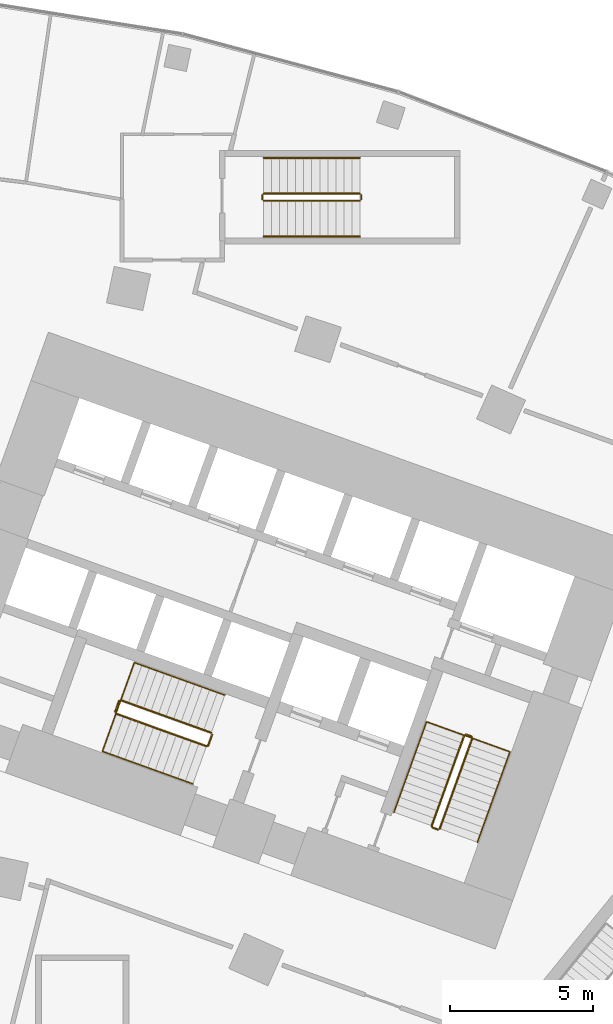
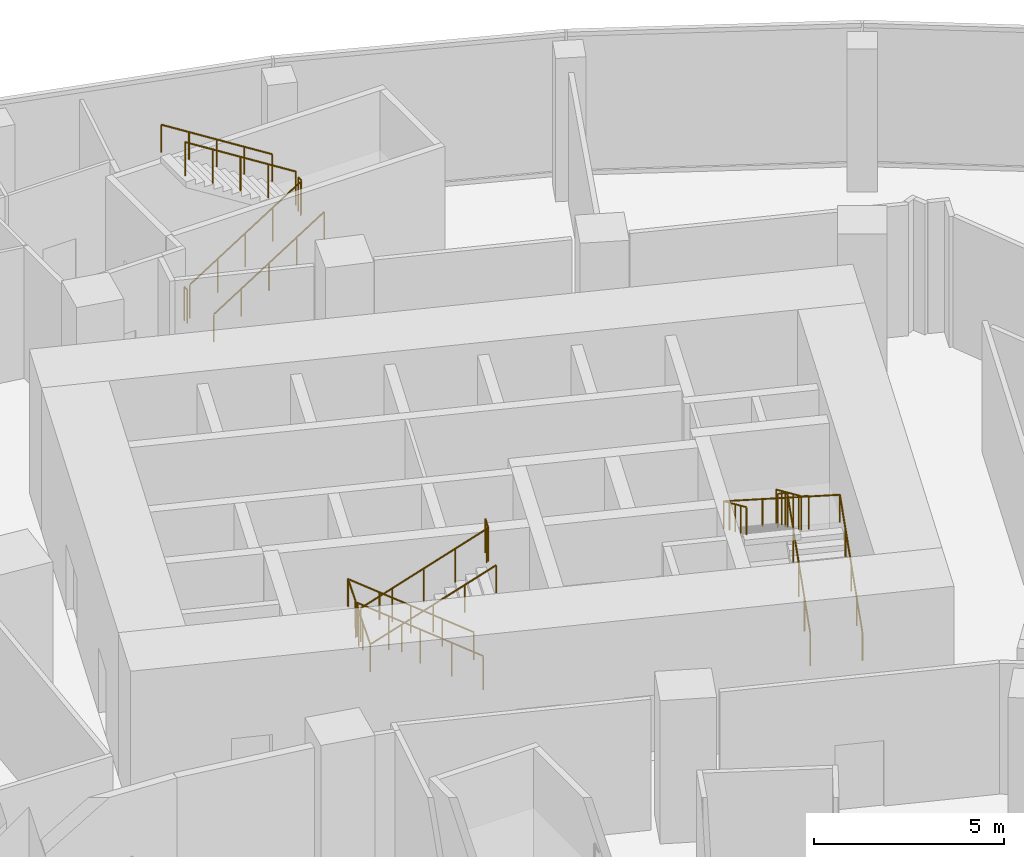
# One storey, part 38 of 39: 12 railings.
"""IFC4 building model written with IfcOpenShell, lengths in metres."""

from ifc_helpers import new_model, si_unit, direction, frame, origin, origin_2d, place, context, subcontext, project, spatial, circle, extrude, material, type_object, element, save


model = new_model("IFC4")

# Units and contexts
model_context = context("Model", 3, precision=1e-05, world=origin(), true_north=direction((0.0, 1.0)))
body_context = subcontext(model_context, "Body", "Model", "MODEL_VIEW")
ifc_project = project(units=[si_unit("LENGTHUNIT", "METRE"), si_unit("AREAUNIT", "SQUARE_METRE"), si_unit("VOLUMEUNIT", "CUBIC_METRE"), si_unit("PLANEANGLEUNIT", "RADIAN"), si_unit("MASSUNIT", "GRAM", prefix="KILO")], contexts=[model_context])

# Site, building, storey
site_placement = place(None, origin())
site = spatial("IfcSite", under=ifc_project, at=site_placement, CompositionType="ELEMENT")
building_placement = place(site_placement, origin())
building = spatial("IfcBuilding", under=site, at=building_placement, Name="Stone Belt Terrace Tower", CompositionType="ELEMENT")
storey_placement = place(building_placement, frame((0.0, 0.0, 16.199951171875)))
storey = spatial("IfcBuildingStorey", under=building, at=storey_placement, Name="L03", CompositionType="ELEMENT", Elevation=16.199951171875)

# Railings
ifc_material_1 = material(Name="Steel balustrade", Category="steel")
railing_type_1 = type_object("IfcRailingType", Name="Podium stair guard", PredefinedType="GUARDRAIL", material=ifc_material_1)
railing_1_placement = place(storey_placement, frame((18.340087890625, 67.125, 0.177001953125)))
element("IfcRailing", 1, at=railing_1_placement, inside=storey, type_object=railing_type_1, Name="L03 PS8 stair guard 1", PredefinedType="GUARDRAIL", context=body_context, shape_type="SweptSolid", body=[
    extrude(circle(Radius=0.02392578125, at=origin_2d()), frame((0.0, 0.0, 1.076171875), z_axis=(0.845372108799, 0.0, 0.534177870812), x_axis=(0.0, 1.0, 0.0)), (0.0, 0.0, 1.0), 3.974365234375),
    extrude(circle(Radius=0.02099609375, at=origin_2d()), origin(), (0.0, 0.0, 1.0), 1.052001953125),
    extrude(circle(Radius=0.02099609375, at=origin_2d()), frame((0.83984375, 0.0, 0.53076171875)), (0.0, 0.0, 1.0), 1.052001953125),
    extrude(circle(Radius=0.02099609375, at=origin_2d()), frame((1.679931640625, 0.0, 1.0615234375)), (0.0, 0.0, 1.0), 1.052001953125),
    extrude(circle(Radius=0.02099609375, at=origin_2d()), frame((2.52001953125, 0.0, 1.59228515625)), (0.0, 0.0, 1.0), 1.052001953125),
    extrude(circle(Radius=0.02099609375, at=origin_2d()), frame((3.35986328125, 0.0, 2.123046875)), (0.0, 0.0, 1.0), 1.052001953125),
])
railing_2_placement = place(storey_placement, frame((21.75, 67.175048828125, 2.300048828125)))
element("IfcRailing", 2, at=railing_2_placement, inside=storey, type_object=railing_type_1, Name="L03 PS8 stair guard 2", PredefinedType="GUARDRAIL", context=body_context, shape_type="SweptSolid", body=[
    extrude(circle(Radius=0.02392578125, at=origin_2d()), frame((0.0, 0.0, 1.076171875), z_axis=(0.0, 1.0, 0.0), x_axis=(-1.0, 0.0, 0.0)), (0.0, 0.0, 1.0), 0.14990234375),
    extrude(circle(Radius=0.02099609375, at=origin_2d()), origin(), (0.0, 0.0, 1.0), 1.052001953125),
    extrude(circle(Radius=0.02099609375, at=origin_2d()), frame((0.0, 0.14990234375, 0.0)), (0.0, 0.0, 1.0), 1.052001953125),
])
railing_3_placement = place(storey_placement, frame((21.699951171875, 67.375, 2.47705078125)))
element("IfcRailing", 3, at=railing_3_placement, inside=storey, type_object=railing_type_1, Name="L03 PS8 stair guard 3", PredefinedType="GUARDRAIL", context=body_context, shape_type="SweptSolid", body=[
    extrude(circle(Radius=0.02392578125, at=origin_2d()), frame((0.0, 0.0, 1.076171875), z_axis=(-0.845372108799, 0.0, 0.534177870812), x_axis=(0.0, -1.0, 0.0)), (0.0, 0.0, 1.0), 3.974365234375),
    extrude(circle(Radius=0.02099609375, at=origin_2d()), origin(), (0.0, 0.0, 1.0), 1.052001953125),
    extrude(circle(Radius=0.02099609375, at=origin_2d()), frame((-0.83984375, 0.0, 0.53076171875)), (0.0, 0.0, 1.0), 1.052001953125),
    extrude(circle(Radius=0.02099609375, at=origin_2d()), frame((-1.679931640625, 0.0, 1.0615234375)), (0.0, 0.0, 1.0), 1.052001953125),
    extrude(circle(Radius=0.02099609375, at=origin_2d()), frame((-2.52001953125, 0.0, 1.59228515625)), (0.0, 0.0, 1.0), 1.052001953125),
    extrude(circle(Radius=0.02099609375, at=origin_2d()), frame((-3.35986328125, 0.0, 2.123046875)), (0.0, 0.0, 1.0), 1.052001953125),
])
railing_4_placement = place(storey_placement, frame((18.2900390625, 67.175048828125, 0.0)))
element("IfcRailing", 4, at=railing_4_placement, inside=storey, type_object=railing_type_1, Name="L03 PS8 stair guard 4", PredefinedType="GUARDRAIL", context=body_context, shape_type="SweptSolid", body=[
    extrude(circle(Radius=0.02392578125, at=origin_2d()), frame((0.0, 0.0, 1.076171875), z_axis=(0.0, 1.0, 0.0), x_axis=(-1.0, 0.0, 0.0)), (0.0, 0.0, 1.0), 0.14990234375),
    extrude(circle(Radius=0.02099609375, at=origin_2d()), origin(), (0.0, 0.0, 1.0), 1.052001953125),
    extrude(circle(Radius=0.02099609375, at=origin_2d()), frame((0.0, 0.14990234375, 0.0)), (0.0, 0.0, 1.0), 1.052001953125),
])
ifc_material_2 = material(Name="Stainless steel handrail", Category="steel")
railing_type_2 = type_object("IfcRailingType", Name="Podium stair handrail", PredefinedType="HANDRAIL", material=ifc_material_2)
railing_5_placement = place(storey_placement, frame((18.340087890625, 65.875, 0.177001953125)))
element("IfcRailing", 5, at=railing_5_placement, inside=storey, type_object=railing_type_2, Name="L03 PS8 stair handrail 1", PredefinedType="HANDRAIL", context=body_context, shape_type="SweptSolid", body=[
    extrude(circle(Radius=0.02392578125, at=origin_2d()), frame((0.0, 0.0, 0.8759765625), z_axis=(0.845372108799, 0.0, 0.534177870812), x_axis=(0.0, 1.0, 0.0)), (0.0, 0.0, 1.0), 3.974365234375),
    extrude(circle(Radius=0.02099609375, at=origin_2d()), origin(), (0.0, 0.0, 1.0), 0.851806640625),
    extrude(circle(Radius=0.02099609375, at=origin_2d()), frame((0.83984375, 0.0, 0.53076171875)), (0.0, 0.0, 1.0), 0.851806640625),
    extrude(circle(Radius=0.02099609375, at=origin_2d()), frame((1.679931640625, 0.0, 1.0615234375)), (0.0, 0.0, 1.0), 0.851806640625),
    extrude(circle(Radius=0.02099609375, at=origin_2d()), frame((2.52001953125, 0.0, 1.59228515625)), (0.0, 0.0, 1.0), 0.851806640625),
    extrude(circle(Radius=0.02099609375, at=origin_2d()), frame((3.35986328125, 0.0, 2.123046875)), (0.0, 0.0, 1.0), 0.851806640625),
])
railing_6_placement = place(storey_placement, frame((21.699951171875, 68.625, 2.47705078125)))
element("IfcRailing", 6, at=railing_6_placement, inside=storey, type_object=railing_type_2, Name="L03 PS8 stair handrail 2", PredefinedType="HANDRAIL", context=body_context, shape_type="SweptSolid", body=[
    extrude(circle(Radius=0.02392578125, at=origin_2d()), frame((0.0, 0.0, 0.8759765625), z_axis=(-0.845372108799, 0.0, 0.534177870812), x_axis=(0.0, -1.0, 0.0)), (0.0, 0.0, 1.0), 3.974365234375),
    extrude(circle(Radius=0.02099609375, at=origin_2d()), origin(), (0.0, 0.0, 1.0), 0.851806640625),
    extrude(circle(Radius=0.02099609375, at=origin_2d()), frame((-0.83984375, 0.0, 0.53076171875)), (0.0, 0.0, 1.0), 0.851806640625),
    extrude(circle(Radius=0.02099609375, at=origin_2d()), frame((-1.679931640625, 0.0, 1.0615234375)), (0.0, 0.0, 1.0), 0.851806640625),
    extrude(circle(Radius=0.02099609375, at=origin_2d()), frame((-2.52001953125, 0.0, 1.59228515625)), (0.0, 0.0, 1.0), 0.851806640625),
    extrude(circle(Radius=0.02099609375, at=origin_2d()), frame((-3.35986328125, 0.0, 2.123046875)), (0.0, 0.0, 1.0), 0.851806640625),
])
ifc_material_3 = material(Name="Structural steel C345", Category="steel")
railing_type_3 = type_object("IfcRailingType", Name="Stair guard 1100", PredefinedType="GUARDRAIL", material=ifc_material_3)
railing_7_placement = place(storey_placement, frame((24.494140625, 45.174560546875, 0.177001953125)))
element("IfcRailing", 7, at=railing_7_placement, inside=storey, type_object=railing_type_3, Name="L03 ST1B stair guard 1", PredefinedType="GUARDRAIL", context=body_context, shape_type="SweptSolid", body=[
    extrude(circle(Radius=0.02392578125, at=origin_2d()), frame((0.0, 0.0, 1.076171875), z_axis=(0.286311103083, 0.795417823175, 0.534168923494), x_axis=(-0.940902231577, 0.338678299589, 0.0)), (0.0, 0.0, 1.0), 3.974365234375),
    extrude(circle(Radius=0.02392578125, at=origin_2d()), frame((1.137939453125, 3.161376953125, 3.19921875), z_axis=(-0.427789722475, 0.903878284585, 0.0), x_axis=(-0.903878284585, -0.427789722475, 0.0)), (0.0, 0.0, 1.0), 0.07080078125),
    extrude(circle(Radius=0.02392578125, at=origin_2d()), frame((1.107666015625, 3.225341796875, 3.19921875), z_axis=(-0.940575576748, 0.339584429008, 0.0), x_axis=(-0.339584429008, -0.940575576748, 0.0)), (0.0, 0.0, 1.0), 0.199951171875),
    extrude(circle(Radius=0.02099609375, at=origin_2d()), origin(), (0.0, 0.0, 1.0), 1.052001953125),
    extrude(circle(Radius=0.02099609375, at=origin_2d()), frame((0.284423828125, 0.790283203125, 0.53076171875)), (0.0, 0.0, 1.0), 1.052001953125),
    extrude(circle(Radius=0.02099609375, at=origin_2d()), frame((0.56884765625, 1.58056640625, 1.0615234375)), (0.0, 0.0, 1.0), 1.052001953125),
    extrude(circle(Radius=0.02099609375, at=origin_2d()), frame((0.853515625, 2.37109375, 1.59228515625)), (0.0, 0.0, 1.0), 1.052001953125),
    extrude(circle(Radius=0.02099609375, at=origin_2d()), frame((1.137939453125, 3.161376953125, 2.123046875)), (0.0, 0.0, 1.0), 1.052001953125),
    extrude(circle(Radius=0.02099609375, at=origin_2d()), frame((1.107666015625, 3.225341796875, 2.123046875)), (0.0, 0.0, 1.0), 1.052001953125),
    extrude(circle(Radius=0.02099609375, at=origin_2d()), frame((0.919677734375, 3.293212890625, 2.123046875)), (0.0, 0.0, 1.0), 1.052001953125),
])
railing_8_placement = place(storey_placement, frame((25.349853515625, 48.4375, 2.47705078125)))
element("IfcRailing", 8, at=railing_8_placement, inside=storey, type_object=railing_type_3, Name="L03 ST1B stair guard 2", PredefinedType="GUARDRAIL", context=body_context, shape_type="SweptSolid", body=[
    extrude(circle(Radius=0.02392578125, at=origin_2d()), frame((0.0, 0.0, 1.076171875), z_axis=(-0.286311103083, -0.795417823175, 0.534168923494), x_axis=(0.940902231577, -0.338678299589, 0.0)), (0.0, 0.0, 1.0), 3.974365234375),
    extrude(circle(Radius=0.02392578125, at=origin_2d()), frame((-1.137939453125, -3.161376953125, 3.19921875), z_axis=(0.427789722475, -0.903878284585, 0.0), x_axis=(0.903878284585, 0.427789722475, 0.0)), (0.0, 0.0, 1.0), 0.07080078125),
    extrude(circle(Radius=0.02392578125, at=origin_2d()), frame((-1.107666015625, -3.225341796875, 3.19921875), z_axis=(0.940575576748, -0.339584429008, 0.0), x_axis=(0.339584429008, 0.940575576748, 0.0)), (0.0, 0.0, 1.0), 0.199951171875),
    extrude(circle(Radius=0.02099609375, at=origin_2d()), origin(), (0.0, 0.0, 1.0), 1.052001953125),
    extrude(circle(Radius=0.02099609375, at=origin_2d()), frame((-0.284423828125, -0.790283203125, 0.53076171875)), (0.0, 0.0, 1.0), 1.052001953125),
    extrude(circle(Radius=0.02099609375, at=origin_2d()), frame((-0.56884765625, -1.58056640625, 1.0615234375)), (0.0, 0.0, 1.0), 1.052001953125),
    extrude(circle(Radius=0.02099609375, at=origin_2d()), frame((-0.853515625, -2.37109375, 1.59228515625)), (0.0, 0.0, 1.0), 1.052001953125),
    extrude(circle(Radius=0.02099609375, at=origin_2d()), frame((-1.137939453125, -3.161376953125, 2.123046875)), (0.0, 0.0, 1.0), 1.052001953125),
    extrude(circle(Radius=0.02099609375, at=origin_2d()), frame((-1.107666015625, -3.225341796875, 2.123046875)), (0.0, 0.0, 1.0), 1.052001953125),
    extrude(circle(Radius=0.02099609375, at=origin_2d()), frame((-0.919677734375, -3.293212890625, 2.123046875)), (0.0, 0.0, 1.0), 1.052001953125),
])
railing_9_placement = place(storey_placement, frame((16.507568359375, 48.527099609375, 0.177001953125)))
element("IfcRailing", 9, at=railing_9_placement, inside=storey, type_object=railing_type_3, Name="L03 ST2B stair guard 1", PredefinedType="GUARDRAIL", context=body_context, shape_type="SweptSolid", body=[
    extrude(circle(Radius=0.02392578125, at=origin_2d()), frame((0.0, 0.0, 1.076171875), z_axis=(-0.795431811234, 0.286254710043, 0.534178317283), x_axis=(-0.338613969627, -0.9409253847, 0.0)), (0.0, 0.0, 1.0), 3.974365234375),
    extrude(circle(Radius=0.02392578125, at=origin_2d()), frame((-3.161376953125, 1.1376953125, 3.19921875), z_axis=(-0.905209821074, -0.424964916, 0.0), x_axis=(0.424964916, -0.905209821074, 0.0)), (0.0, 0.0, 1.0), 0.070556640625),
    extrude(circle(Radius=0.02392578125, at=origin_2d()), frame((-3.225341796875, 1.107666015625, 3.19921875), z_axis=(-0.338654645739, -0.940910745459, 0.0), x_axis=(0.940910745459, -0.338654645739, 0.0)), (0.0, 0.0, 1.0), 0.400146484375),
    extrude(circle(Radius=0.02099609375, at=origin_2d()), origin(), (0.0, 0.0, 1.0), 1.052001953125),
    extrude(circle(Radius=0.02099609375, at=origin_2d()), frame((-0.790283203125, 0.284423828125, 0.53076171875)), (0.0, 0.0, 1.0), 1.052001953125),
    extrude(circle(Radius=0.02099609375, at=origin_2d()), frame((-1.58056640625, 0.56884765625, 1.0615234375)), (0.0, 0.0, 1.0), 1.052001953125),
    extrude(circle(Radius=0.02099609375, at=origin_2d()), frame((-2.37109375, 0.853271484375, 1.59228515625)), (0.0, 0.0, 1.0), 1.052001953125),
    extrude(circle(Radius=0.02099609375, at=origin_2d()), frame((-3.161376953125, 1.1376953125, 2.123046875)), (0.0, 0.0, 1.0), 1.052001953125),
    extrude(circle(Radius=0.02099609375, at=origin_2d()), frame((-3.225341796875, 1.107666015625, 2.123046875)), (0.0, 0.0, 1.0), 1.052001953125),
    extrude(circle(Radius=0.02099609375, at=origin_2d()), frame((-3.36083984375, 0.731201171875, 2.123046875)), (0.0, 0.0, 1.0), 1.052001953125),
])
railing_10_placement = place(storey_placement, frame((13.1767578125, 49.1943359375, 2.47705078125)))
element("IfcRailing", 10, at=railing_10_placement, inside=storey, type_object=railing_type_3, Name="L03 ST2B stair guard 2", PredefinedType="GUARDRAIL", context=body_context, shape_type="SweptSolid", body=[
    extrude(circle(Radius=0.02392578125, at=origin_2d()), frame((0.0, 0.0, 1.076171875), z_axis=(0.79545437138, -0.286240723601, 0.53415221726), x_axis=(0.338590819614, 0.940933715451, 0.0)), (0.0, 0.0, 1.0), 3.974609375),
    extrude(circle(Radius=0.02392578125, at=origin_2d()), frame((3.16162109375, -1.1376953125, 3.19921875), z_axis=(0.905209821074, 0.424964916, 0.0), x_axis=(-0.424964916, 0.905209821074, 0.0)), (0.0, 0.0, 1.0), 0.070556640625),
    extrude(circle(Radius=0.02392578125, at=origin_2d()), frame((3.2255859375, -1.107666015625, 3.19921875), z_axis=(0.338654645739, 0.940910745459, 0.0), x_axis=(-0.940910745459, 0.338654645739, 0.0)), (0.0, 0.0, 1.0), 0.400146484375),
    extrude(circle(Radius=0.02099609375, at=origin_2d()), origin(), (0.0, 0.0, 1.0), 1.052001953125),
    extrude(circle(Radius=0.02099609375, at=origin_2d()), frame((0.79052734375, -0.284423828125, 0.53076171875)), (0.0, 0.0, 1.0), 1.052001953125),
    extrude(circle(Radius=0.02099609375, at=origin_2d()), frame((1.580810546875, -0.56884765625, 1.0615234375)), (0.0, 0.0, 1.0), 1.052001953125),
    extrude(circle(Radius=0.02099609375, at=origin_2d()), frame((2.37109375, -0.853271484375, 1.59228515625)), (0.0, 0.0, 1.0), 1.052001953125),
    extrude(circle(Radius=0.02099609375, at=origin_2d()), frame((3.16162109375, -1.1376953125, 2.123046875)), (0.0, 0.0, 1.0), 1.052001953125),
    extrude(circle(Radius=0.02099609375, at=origin_2d()), frame((3.2255859375, -1.107666015625, 2.123046875)), (0.0, 0.0, 1.0), 1.052001953125),
    extrude(circle(Radius=0.02099609375, at=origin_2d()), frame((3.361083984375, -0.731201171875, 2.123046875)), (0.0, 0.0, 1.0), 1.052001953125),
])
railing_type_4 = type_object("IfcRailingType", Name="Stair handrail 900", PredefinedType="HANDRAIL", material=ifc_material_3)
railing_11_placement = place(storey_placement, frame((25.8115234375, 44.700439453125, 0.177001953125)))
element("IfcRailing", 11, at=railing_11_placement, inside=storey, type_object=railing_type_4, Name="L03 ST1B stair handrail 1", PredefinedType="HANDRAIL", context=body_context, shape_type="SweptSolid", body=[
    extrude(circle(Radius=0.02392578125, at=origin_2d()), frame((0.0, 0.0, 0.8759765625), z_axis=(0.286254710043, 0.795431811234, 0.534178317283), x_axis=(-0.9409253847, 0.338613969627, 0.0)), (0.0, 0.0, 1.0), 3.974365234375),
    extrude(circle(Radius=0.02392578125, at=origin_2d()), frame((1.1376953125, 3.161376953125, 2.9990234375), z_axis=(-0.939380425775, 0.338104614617, 0.057006010604), x_axis=(-0.338655323994, -0.940910501339, 0.0)), (0.0, 0.0, 1.0), 3.10498046875),
    extrude(circle(Radius=0.02392578125, at=origin_2d()), frame((-1.779052734375, 4.211181640625, 3.17578125), z_axis=(-0.286254710043, -0.795431811234, 0.534178317283), x_axis=(0.9409253847, -0.338613969627, 0.0)), (0.0, 0.0, 1.0), 3.974365234375),
    extrude(circle(Radius=0.02099609375, at=origin_2d()), origin(), (0.0, 0.0, 1.0), 0.851806640625),
    extrude(circle(Radius=0.02099609375, at=origin_2d()), frame((0.284423828125, 0.790283203125, 0.53076171875)), (0.0, 0.0, 1.0), 0.851806640625),
    extrude(circle(Radius=0.02099609375, at=origin_2d()), frame((0.56884765625, 1.58056640625, 1.0615234375)), (0.0, 0.0, 1.0), 0.851806640625),
    extrude(circle(Radius=0.02099609375, at=origin_2d()), frame((0.853271484375, 2.37109375, 1.59228515625)), (0.0, 0.0, 1.0), 0.851806640625),
    extrude(circle(Radius=0.02099609375, at=origin_2d()), frame((1.1376953125, 3.161376953125, 2.123046875)), (0.0, 0.0, 1.0), 0.851806640625),
    extrude(circle(Radius=0.02099609375, at=origin_2d()), frame((0.16552734375, 3.51123046875, 2.18212890625)), (0.0, 0.0, 1.0), 0.851806640625),
    extrude(circle(Radius=0.02099609375, at=origin_2d()), frame((-0.806884765625, 3.861328125, 2.240966796875)), (0.0, 0.0, 1.0), 0.851806640625),
    extrude(circle(Radius=0.02099609375, at=origin_2d()), frame((-1.779052734375, 4.211181640625, 2.300048828125)), (0.0, 0.0, 1.0), 0.851806640625),
    extrude(circle(Radius=0.02099609375, at=origin_2d()), frame((-2.0634765625, 3.4208984375, 2.830810546875)), (0.0, 0.0, 1.0), 0.851806640625),
    extrude(circle(Radius=0.02099609375, at=origin_2d()), frame((-2.347900390625, 2.63037109375, 3.361572265625)), (0.0, 0.0, 1.0), 0.851806640625),
    extrude(circle(Radius=0.02099609375, at=origin_2d()), frame((-2.63232421875, 1.840087890625, 3.892333984375)), (0.0, 0.0, 1.0), 0.851806640625),
    extrude(circle(Radius=0.02099609375, at=origin_2d()), frame((-2.916748046875, 1.0498046875, 4.423095703125)), (0.0, 0.0, 1.0), 0.851806640625),
])
railing_12_placement = place(storey_placement, frame((16.981689453125, 49.84423828125, 0.177001953125)))
element("IfcRailing", 12, at=railing_12_placement, inside=storey, type_object=railing_type_4, Name="L03 ST2B stair handrail 1", PredefinedType="HANDRAIL", context=body_context, shape_type="SweptSolid", body=[
    extrude(circle(Radius=0.02392578125, at=origin_2d()), frame((0.0, 0.0, 0.8759765625), z_axis=(-0.795417823175, 0.286311103083, 0.534168923494), x_axis=(-0.338678299589, -0.940902231577, 0.0)), (0.0, 0.0, 1.0), 3.974365234375),
    extrude(circle(Radius=0.02392578125, at=origin_2d()), frame((-3.161376953125, 1.137939453125, 2.9990234375), z_axis=(-0.338112997137, -0.939580338779, 0.053557335138), x_axis=(0.940930785231, -0.338598962497, 0.0)), (0.0, 0.0, 1.0), 3.304931640625),
    extrude(circle(Radius=0.02392578125, at=origin_2d()), frame((-4.27880859375, -1.96728515625, 3.17578125), z_axis=(0.795431811234, -0.286254710043, 0.534178317283), x_axis=(0.338613969627, 0.9409253847, 0.0)), (0.0, 0.0, 1.0), 3.974365234375),
    extrude(circle(Radius=0.02099609375, at=origin_2d()), origin(), (0.0, 0.0, 1.0), 0.851806640625),
    extrude(circle(Radius=0.02099609375, at=origin_2d()), frame((-0.790283203125, 0.284423828125, 0.53076171875)), (0.0, 0.0, 1.0), 0.851806640625),
    extrude(circle(Radius=0.02099609375, at=origin_2d()), frame((-1.58056640625, 0.56884765625, 1.0615234375)), (0.0, 0.0, 1.0), 0.851806640625),
    extrude(circle(Radius=0.02099609375, at=origin_2d()), frame((-2.37109375, 0.853515625, 1.59228515625)), (0.0, 0.0, 1.0), 0.851806640625),
    extrude(circle(Radius=0.02099609375, at=origin_2d()), frame((-3.161376953125, 1.137939453125, 2.123046875)), (0.0, 0.0, 1.0), 0.851806640625),
    extrude(circle(Radius=0.02099609375, at=origin_2d()), frame((-3.533935546875, 0.102783203125, 2.18212890625)), (0.0, 0.0, 1.0), 0.851806640625),
    extrude(circle(Radius=0.02099609375, at=origin_2d()), frame((-3.90625, -0.93212890625, 2.240966796875)), (0.0, 0.0, 1.0), 0.851806640625),
    extrude(circle(Radius=0.02099609375, at=origin_2d()), frame((-4.27880859375, -1.96728515625, 2.300048828125)), (0.0, 0.0, 1.0), 0.851806640625),
    extrude(circle(Radius=0.02099609375, at=origin_2d()), frame((-3.488525390625, -2.251708984375, 2.830810546875)), (0.0, 0.0, 1.0), 0.851806640625),
    extrude(circle(Radius=0.02099609375, at=origin_2d()), frame((-2.6982421875, -2.5361328125, 3.361572265625)), (0.0, 0.0, 1.0), 0.851806640625),
    extrude(circle(Radius=0.02099609375, at=origin_2d()), frame((-1.90771484375, -2.820556640625, 3.892333984375)), (0.0, 0.0, 1.0), 0.851806640625),
    extrude(circle(Radius=0.02099609375, at=origin_2d()), frame((-1.117431640625, -3.10498046875, 4.423095703125)), (0.0, 0.0, 1.0), 0.851806640625),
])

save(model, "model.ifc")
